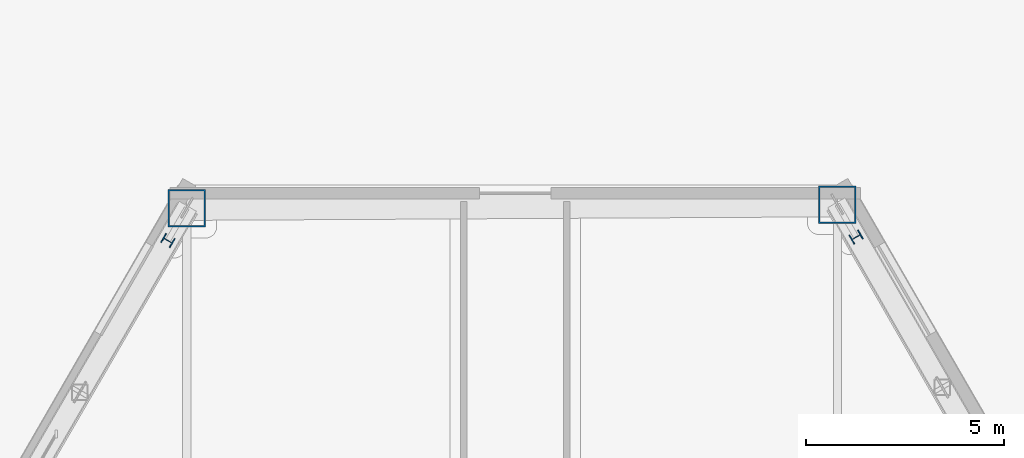
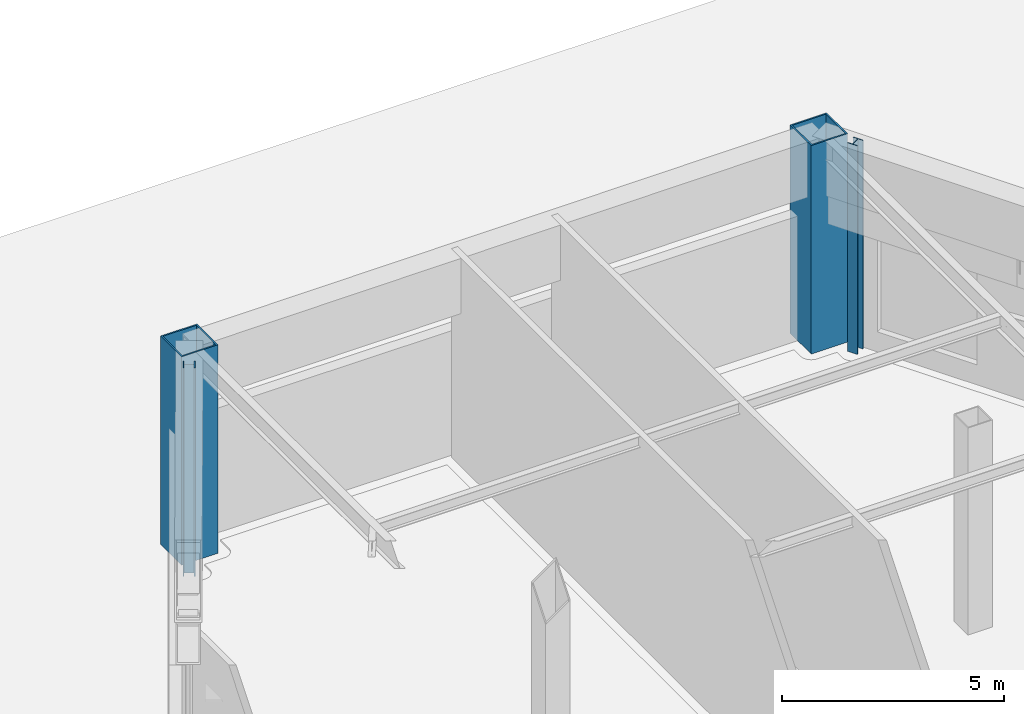
# One storey, part 3 of 20: 4 columns.
"""IFC4 building model written with IfcOpenShell, lengths in metres."""

from ifc_helpers import new_model, si_unit, direction, frame, origin, origin_2d, place, context, subcontext, project, spatial, hollow_rectangle, i_section, extrude, material, material_profile, profile_set, type_object, element, save


model = new_model("IFC4")

# Units and contexts
model_context = context("Model", 3, precision=1e-05, world=origin(), true_north=direction((0.0, 1.0)))
body_context = subcontext(model_context, "Body", "Model", "MODEL_VIEW")
ifc_project = project(units=[si_unit("LENGTHUNIT", "METRE"), si_unit("AREAUNIT", "SQUARE_METRE"), si_unit("VOLUMEUNIT", "CUBIC_METRE"), si_unit("PLANEANGLEUNIT", "RADIAN"), si_unit("MASSUNIT", "GRAM", prefix="KILO")], contexts=[model_context])

# Site, building, storey
site_placement = place(None, origin())
site = spatial("IfcSite", under=ifc_project, at=site_placement, CompositionType="ELEMENT")
building_placement = place(site_placement, origin())
building = spatial("IfcBuilding", under=site, at=building_placement, Name="Kavelnor Concourse Tower", CompositionType="ELEMENT")
storey_placement = place(building_placement, origin())
storey = spatial("IfcBuildingStorey", under=building, at=storey_placement, Name="L00", CompositionType="ELEMENT", Elevation=0.0)

# Columns
ifc_material = material(Name="Steel Grade 350", Category="steel")
ifc_material_profile_1 = material_profile(ifc_material, hollow_rectangle(XDim=0.949951171875, YDim=0.949951171875, WallThickness=0.0400390625, at=origin_2d()), Name="SHS 950x950x40")
ifc_profile_set_1 = profile_set([ifc_material_profile_1], Name="Steel Grade 350")
column_type_1 = type_object("IfcColumnType", Name="COL-MEGA-950", PredefinedType="COLUMN", material=ifc_profile_set_1)
for number, where, z_axis, x_axis, name in (
    (1, (46.144775390625, 43.338623046875, 0.0), (0.0, 0.0, 1.0), (1.0, 0.0, 0.0), "L00 Perimeter Mega Column MC-V0"),
    (2, (29.694580078125, 43.248779296875, 0.0), (0.0, 0.0, 1.0), (1.0, 0.0, 0.0), "L00 Perimeter Mega Column MC-V1"),
):
    element("IfcColumn", number, at=place(storey_placement, frame(where, z_axis=z_axis, x_axis=x_axis)), inside=storey, type_object=column_type_1, Name=name, PredefinedType="COLUMN", context=body_context, shape_type="SweptSolid", body=[
        extrude(hollow_rectangle(XDim=0.949951171875, YDim=0.949951171875, WallThickness=0.0400390625, at=origin_2d()), origin(), (0.0, 0.0, 1.0), 5.739990234375),
    ])
ifc_material_profile_2 = material_profile(ifc_material, i_section(OverallWidth=0.260986328125, OverallDepth=0.27587890625, WebThickness=0.015380859375, FlangeThickness=0.025390625, at=origin_2d()), Name="UC 254x254x132")
ifc_profile_set_2 = profile_set([ifc_material_profile_2], Name="Steel Grade 350")
column_type_2 = type_object("IfcColumnType", Name="COL-PILASTER-250", PredefinedType="PILASTER", material=ifc_profile_set_2)
for number, where, z_axis, x_axis, name in (
    (3, (29.21728515625, 42.427490234375, 0.0), (0.0, 0.0, 1.0), (-0.502416446459, -0.864625765478, 0.0), "L00 Brick Pier Stiffener Pilaster F0-A"),
    (4, (46.617431640625, 42.5146484375, 0.0), (0.0, 0.0, 1.0), (-0.497579654441, 0.867418288651, 0.0), "L00 Brick Pier Stiffener Pilaster F2-B"),
):
    element("IfcColumn", number, at=place(storey_placement, frame(where, z_axis=z_axis, x_axis=x_axis)), inside=storey, type_object=column_type_2, Name=name, PredefinedType="PILASTER", context=body_context, shape_type="SweptSolid", body=[
        extrude(i_section(OverallWidth=0.260986328125, OverallDepth=0.27587890625, WebThickness=0.015380859375, FlangeThickness=0.025390625, at=origin_2d()), origin(), (0.0, 0.0, 1.0), 5.739990234375),
    ])

save(model, "model.ifc")
